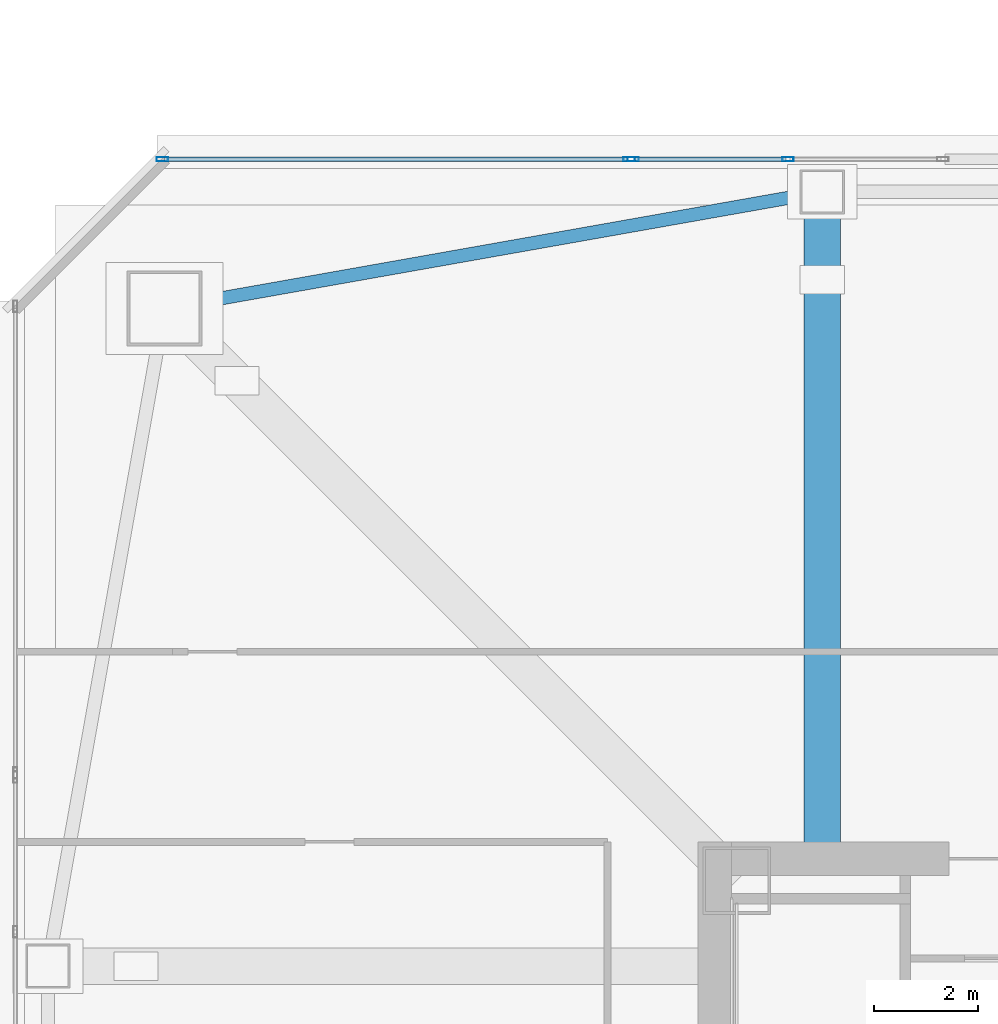
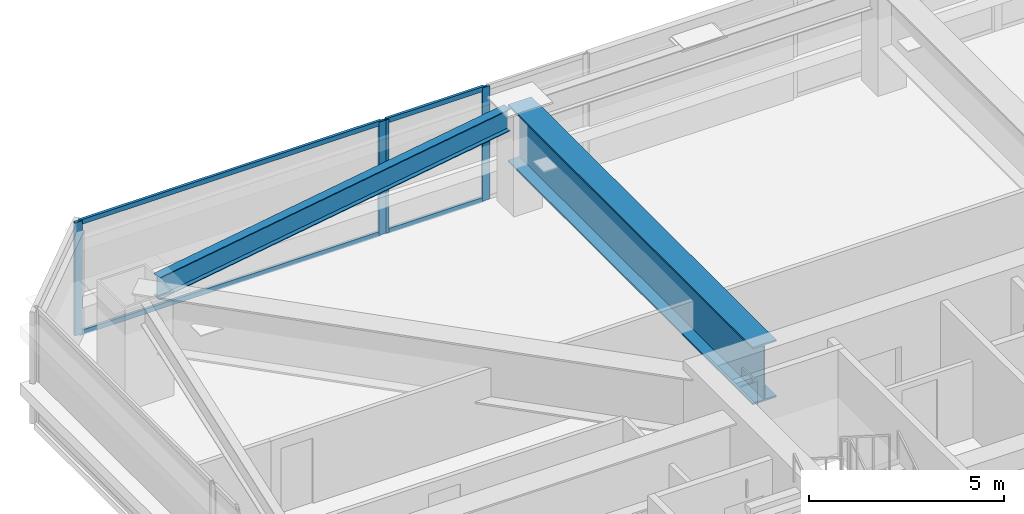
# One storey, part 12 of 49: 8 members, 2 beams, 2 elements without a shape of their own.
"""IFC4 building model written with IfcOpenShell, lengths in metres."""

from ifc_helpers import new_model, si_unit, direction, frame, origin, origin_2d, place, context, subcontext, project, spatial, hollow_rectangle, i_section, extrude, material, material_profile, profile_set, type_object, element, aggregate, save


model = new_model("IFC4")

# Units and contexts
model_context = context("Model", 3, precision=1e-05, world=origin(), true_north=direction((0.0, 1.0)))
body_context = subcontext(model_context, "Body", "Model", "MODEL_VIEW")
ifc_project = project(units=[si_unit("LENGTHUNIT", "METRE"), si_unit("AREAUNIT", "SQUARE_METRE"), si_unit("VOLUMEUNIT", "CUBIC_METRE"), si_unit("PLANEANGLEUNIT", "RADIAN"), si_unit("MASSUNIT", "GRAM", prefix="KILO")], contexts=[model_context])

# Site, building, storey
site_placement = place(None, origin())
site = spatial("IfcSite", under=ifc_project, at=site_placement, CompositionType="ELEMENT")
building_placement = place(site_placement, origin())
building = spatial("IfcBuilding", under=site, at=building_placement, Name="Tashvorn Skyway Center", CompositionType="ELEMENT")
storey_placement = place(building_placement, frame((0.0, 0.0, 106.25)))
storey = spatial("IfcBuildingStorey", under=building, at=storey_placement, Name="L28", CompositionType="ELEMENT", Elevation=106.25)

# Beams
ifc_material_1 = material(Name="Steel ASTM A572 Grade 50", Category="steel")
ifc_material_profile_1 = material_profile(ifc_material_1, i_section(OverallWidth=0.699951171875, OverallDepth=1.800048828125, WebThickness=0.031982421875, FlangeThickness=0.050048828125, at=origin_2d()), Name="PG1800x700")
ifc_profile_set_1 = profile_set([ifc_material_profile_1], Name="Steel ASTM A572 Grade 50")
beam_type_1 = type_object("IfcBeamType", Name="BM-BEAM-PG1800x700", PredefinedType="BEAM", material=ifc_profile_set_1)
beam_1_placement = place(storey_placement, frame((36.60009765625, 52.35009765625, 2.35009765625), z_axis=(0.0, -1.0, 0.0), x_axis=(1.0, 0.0, 0.0)))
element("IfcBeam", 1, at=beam_1_placement, inside=storey, type_object=beam_type_1, Name="Tower 1 L28 Setback Transfer Girder FC-N2", PredefinedType="BEAM", context=body_context, shape_type="SweptSolid", body=[
    extrude(i_section(OverallWidth=0.699951171875, OverallDepth=1.800048828125, WebThickness=0.031982421875, FlangeThickness=0.050048828125, at=origin_2d()), origin(), (0.0, 0.0, 1.0), 12.570068359375),
])
ifc_material_2 = material(Name="Steel ASTM A992 Grade 50", Category="steel")
ifc_material_profile_2 = material_profile(ifc_material_2, i_section(OverallWidth=0.256103515625, OverallDepth=0.693115234375, WebThickness=0.014404296875, FlangeThickness=0.023681640625, at=origin_2d()), Name="W27X114")
ifc_profile_set_2 = profile_set([ifc_material_profile_2], Name="Steel ASTM A992 Grade 50")
beam_type_2 = type_object("IfcBeamType", Name="BM-SPANDREL-W27X114", PredefinedType="SPANDREL", material=ifc_profile_set_2)
beam_2_placement = place(storey_placement, frame((36.1865234375, 52.276611328125, 2.903564453125), z_axis=(-0.98466816531, -0.174437966698, 0.0), x_axis=(0.174437966698, -0.98466816531, 0.0)))
element("IfcBeam", 2, at=beam_2_placement, inside=storey, type_object=beam_type_2, Name="Tower 1 L28 Spandrel Beam 09", PredefinedType="SPANDREL", context=body_context, shape_type="SweptSolid", body=[
    extrude(i_section(OverallWidth=0.256103515625, OverallDepth=0.693115234375, WebThickness=0.014404296875, FlangeThickness=0.023681640625, at=origin_2d()), origin(), (0.0, 0.0, 1.0), 11.7578125),
])

# Curtain wall, members
ifc_material_3 = material(Name="Thermally broken bronze-anodized aluminium 6063-T6", Category="aluminium")
curtain_wall_type = type_object("IfcCurtainWallType", Name="CW-CW-Z2", PredefinedType="NOTDEFINED", material=ifc_material_3)
curtain_wall_1_placement = place(storey_placement, origin())
curtain_wall_1 = element("IfcCurtainWall", 3, at=curtain_wall_1_placement, inside=storey, type_object=curtain_wall_type, Name="Tower 1 L28 North Unitised Curtain Wall Glazing Group 1", PredefinedType="NOTDEFINED")
ifc_material_profile_3 = material_profile(ifc_material_3, hollow_rectangle(XDim=0.080078125, YDim=0.219970703125, WallThickness=0.0048828125, at=origin_2d()), Name="ALU-MULL-80x220")
ifc_profile_set_3 = profile_set([ifc_material_profile_3], Name="Thermally broken bronze-anodized aluminium 6063-T6")
member_type_1 = type_object("IfcMemberType", Name="CWM-CW-Z2", PredefinedType="MULLION", material=ifc_profile_set_3)
member_1_placement = place(storey_placement, frame((23.860107421875, 52.97998046875, 0.0), z_axis=(0.0, 0.0, 1.0), x_axis=(0.0, 1.0, 0.0)))
member_1 = element("IfcMember", 4, at=member_1_placement, type_object=member_type_1, Name="CW-Z2 mullion 1", PredefinedType="MULLION", context=body_context, shape_type="SweptSolid", body=[
    extrude(hollow_rectangle(XDim=0.080078125, YDim=0.219970703125, WallThickness=0.0048828125, at=origin_2d()), origin(), (0.0, 0.0, 1.0), 3.550048828125),
])
member_2_placement = place(storey_placement, frame((32.8701171875, 52.97998046875, 0.0), z_axis=(0.0, 0.0, 1.0), x_axis=(0.0, 1.0, 0.0)))
member_2 = element("IfcMember", 5, at=member_2_placement, type_object=member_type_1, Name="CW-Z2 mullion 2", PredefinedType="MULLION", context=body_context, shape_type="SweptSolid", body=[
    extrude(hollow_rectangle(XDim=0.080078125, YDim=0.219970703125, WallThickness=0.0048828125, at=origin_2d()), origin(), (0.0, 0.0, 1.0), 3.550048828125),
])

curtain_wall_2_placement = place(storey_placement, origin())
curtain_wall_2 = element("IfcCurtainWall", 6, at=curtain_wall_2_placement, inside=storey, type_object=curtain_wall_type, Name="Tower 1 L28 North Unitised Curtain Wall Glazing Group 2", PredefinedType="NOTDEFINED")
member_3_placement = place(storey_placement, frame((32.949951171875, 52.97998046875, 0.0), z_axis=(0.0, 0.0, 1.0), x_axis=(0.0, 1.0, 0.0)))
member_3 = element("IfcMember", 7, at=member_3_placement, type_object=member_type_1, Name="CW-Z2 mullion 1", PredefinedType="MULLION", context=body_context, shape_type="SweptSolid", body=[
    extrude(hollow_rectangle(XDim=0.080078125, YDim=0.219970703125, WallThickness=0.0048828125, at=origin_2d()), origin(), (0.0, 0.0, 1.0), 3.550048828125),
])
member_4_placement = place(storey_placement, frame((35.93994140625, 52.97998046875, 0.0), z_axis=(0.0, 0.0, 1.0), x_axis=(0.0, 1.0, 0.0)))
member_4 = element("IfcMember", 8, at=member_4_placement, type_object=member_type_1, Name="CW-Z2 mullion 2", PredefinedType="MULLION", context=body_context, shape_type="SweptSolid", body=[
    extrude(hollow_rectangle(XDim=0.080078125, YDim=0.219970703125, WallThickness=0.0048828125, at=origin_2d()), origin(), (0.0, 0.0, 1.0), 3.550048828125),
])

# Member
ifc_material_profile_4 = material_profile(ifc_material_3, hollow_rectangle(XDim=0.080078125, YDim=0.14990234375, WallThickness=0.00439453125, at=origin_2d()), Name="ALU-TRAN-80x150")
ifc_profile_set_4 = profile_set([ifc_material_profile_4], Name="Thermally broken bronze-anodized aluminium 6063-T6")
member_type_2 = type_object("IfcMemberType", Name="CWT-CW-Z2", PredefinedType="USERDEFINED", material=ifc_profile_set_4)
member_5_placement = place(storey_placement, frame((23.89990234375, 52.97998046875, 0.0400390625), z_axis=(1.0, 0.0, 0.0), x_axis=(0.0, 1.0, 0.0)))
member_5 = element("IfcMember", 9, at=member_5_placement, type_object=member_type_2, Name="CW-Z2 transom 1.1", ObjectType="TRANSOM", PredefinedType="USERDEFINED", context=body_context, shape_type="SweptSolid", body=[
    extrude(hollow_rectangle(XDim=0.080078125, YDim=0.14990234375, WallThickness=0.00439453125, at=origin_2d()), origin(), (0.0, 0.0, 1.0), 8.93017578125),
])

member_6_placement = place(storey_placement, frame((23.89990234375, 52.97998046875, 3.510009765625), z_axis=(1.0, 0.0, 0.0), x_axis=(0.0, 1.0, 0.0)))
member_6 = element("IfcMember", 10, at=member_6_placement, type_object=member_type_2, Name="CW-Z2 transom 1.2", ObjectType="TRANSOM", PredefinedType="USERDEFINED", context=body_context, shape_type="SweptSolid", body=[
    extrude(hollow_rectangle(XDim=0.080078125, YDim=0.14990234375, WallThickness=0.00439453125, at=origin_2d()), origin(), (0.0, 0.0, 1.0), 8.93017578125),
])

aggregate(curtain_wall_1, [member_1, member_2, member_5, member_6])

member_7_placement = place(storey_placement, frame((32.989990234375, 52.97998046875, 0.0400390625), z_axis=(1.0, 0.0, 0.0), x_axis=(0.0, 1.0, 0.0)))
member_7 = element("IfcMember", 11, at=member_7_placement, type_object=member_type_2, Name="CW-Z2 transom 1.1", ObjectType="TRANSOM", PredefinedType="USERDEFINED", context=body_context, shape_type="SweptSolid", body=[
    extrude(hollow_rectangle(XDim=0.080078125, YDim=0.14990234375, WallThickness=0.00439453125, at=origin_2d()), origin(), (0.0, 0.0, 1.0), 2.909912109375),
])

member_8_placement = place(storey_placement, frame((32.989990234375, 52.97998046875, 3.510009765625), z_axis=(1.0, 0.0, 0.0), x_axis=(0.0, 1.0, 0.0)))
member_8 = element("IfcMember", 12, at=member_8_placement, type_object=member_type_2, Name="CW-Z2 transom 1.2", ObjectType="TRANSOM", PredefinedType="USERDEFINED", context=body_context, shape_type="SweptSolid", body=[
    extrude(hollow_rectangle(XDim=0.080078125, YDim=0.14990234375, WallThickness=0.00439453125, at=origin_2d()), origin(), (0.0, 0.0, 1.0), 2.909912109375),
])

aggregate(curtain_wall_2, [member_3, member_4, member_7, member_8])

save(model, "model.ifc")
